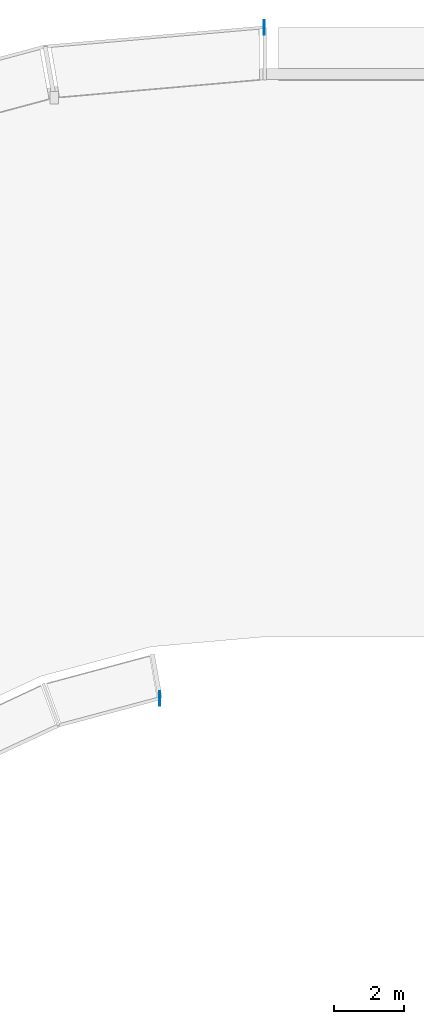
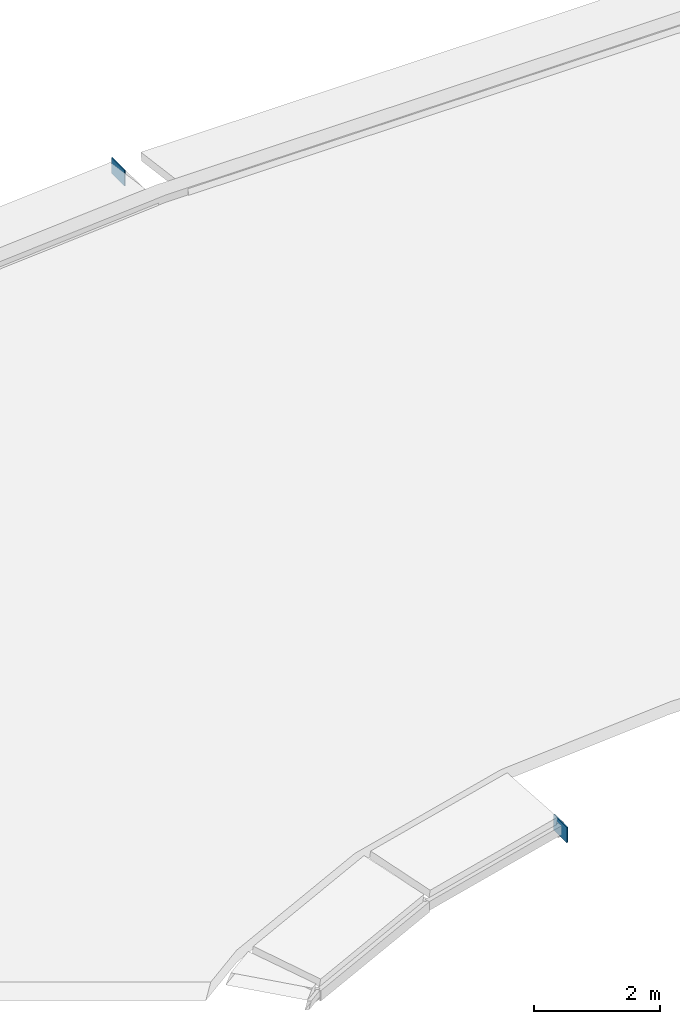
# One storey, part 4 of 6: 2 plates.
"""IFC4 building model written with IfcOpenShell, lengths in metres."""

from ifc_helpers import new_model, si_unit, direction, frame, origin, origin_2d, place, context, subcontext, project, spatial, rectangle, extrude, material, layer, layer_set, type_object, element, save


model = new_model("IFC4")

# Units and contexts
model_context = context("Model", 3, precision=1e-05, world=origin(), true_north=direction((0.0, 1.0)))
body_context = subcontext(model_context, "Body", "Model", "MODEL_VIEW")
ifc_project = project(units=[si_unit("LENGTHUNIT", "METRE"), si_unit("AREAUNIT", "SQUARE_METRE"), si_unit("VOLUMEUNIT", "CUBIC_METRE"), si_unit("PLANEANGLEUNIT", "RADIAN"), si_unit("MASSUNIT", "GRAM", prefix="KILO")], contexts=[model_context])

# Site, building, storey
site_placement = place(None, origin())
site = spatial("IfcSite", under=ifc_project, at=site_placement, CompositionType="ELEMENT")
building_placement = place(site_placement, origin())
building = spatial("IfcBuilding", under=site, at=building_placement, Name="Kiranvali Square Residences", CompositionType="ELEMENT")
storey_placement = place(building_placement, frame((0.0, 0.0, 52.800048828125)))
storey = spatial("IfcBuildingStorey", under=building, at=storey_placement, Name="ROOF", CompositionType="ELEMENT", Elevation=52.800048828125)

# Plates
ifc_material = material(Name="Structural steel E350", Category="steel")
ifc_layer = layer(ifc_material, 0.02001953125)
ifc_layer_set = layer_set([ifc_layer], Name="Structural steel E350")
plate_type = type_object("IfcPlateType", Name="PLT-ENDCAP-20", PredefinedType="SHEET", material=ifc_layer_set)
for number, where, z_axis, x_axis, name in (
    (1, (48.18798828125, 124.098876953125, -0.46240234375), (0.0, 0.0, 1.0), (1.0, 0.0, 0.0), "Block A eave fascia purlin end-cap S"),
    (2, (45.184326171875, 104.833984375, -0.47607421875), (0.0, 0.0, 1.0), (1.0, 0.0, 0.0), "Block A inner eave purlin end-cap S"),
):
    element("IfcPlate", number, at=place(storey_placement, frame(where, z_axis=z_axis, x_axis=x_axis)), inside=storey, type_object=plate_type, Name=name, PredefinedType="SHEET", context=body_context, shape_type="SweptSolid", body=[
        extrude(rectangle(XDim=0.02001953125, YDim=0.419921875, at=origin_2d()), origin(), (0.0, 0.0, 1.0), 0.300048828125),
    ])

save(model, "model.ifc")
